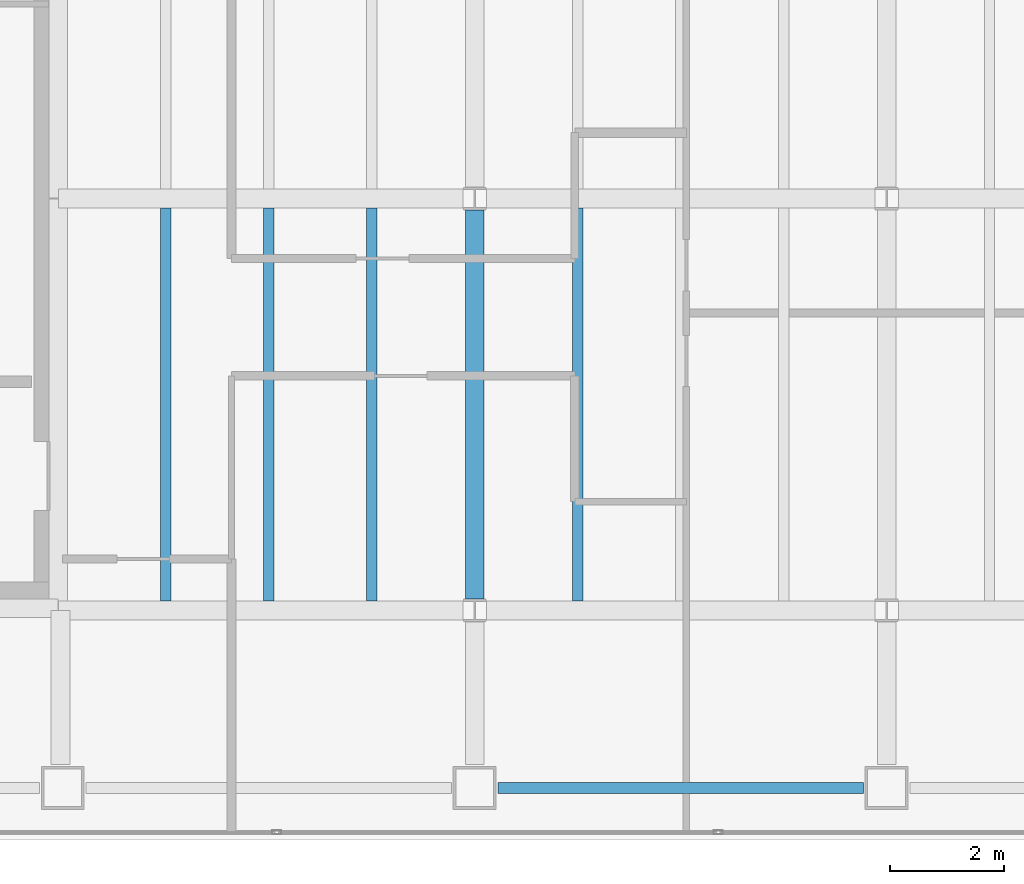
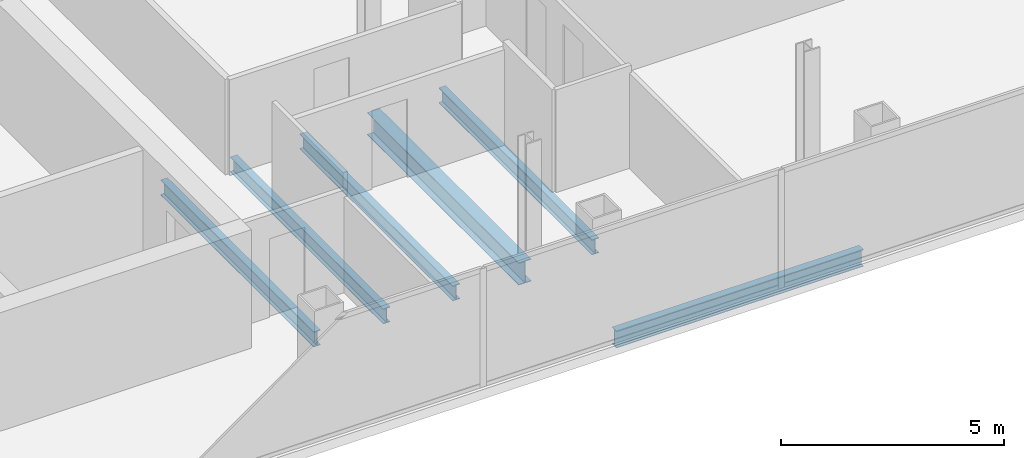
# One storey, part 5 of 23: 6 beams.
"""IFC4 building model written with IfcOpenShell, lengths in metres."""

from ifc_helpers import new_model, si_unit, direction, frame, origin, origin_2d, place, context, subcontext, project, spatial, i_section, extrude, material, material_profile, profile_set, type_object, element, save


model = new_model("IFC4")

# Units and contexts
model_context = context("Model", 3, precision=1e-05, world=origin(), true_north=direction((0.0, 1.0)))
body_context = subcontext(model_context, "Body", "Model", "MODEL_VIEW")
ifc_project = project(units=[si_unit("LENGTHUNIT", "METRE"), si_unit("AREAUNIT", "SQUARE_METRE"), si_unit("VOLUMEUNIT", "CUBIC_METRE"), si_unit("PLANEANGLEUNIT", "RADIAN"), si_unit("MASSUNIT", "GRAM", prefix="KILO")], contexts=[model_context])

# Site, building, storey
site_placement = place(None, origin())
site = spatial("IfcSite", under=ifc_project, at=site_placement, CompositionType="ELEMENT")
building_placement = place(site_placement, origin())
building = spatial("IfcBuilding", under=site, at=building_placement, Name="Cobrela Telecom Tower", CompositionType="ELEMENT")
storey_placement = place(building_placement, frame((0.0, 0.0, 201.25)))
storey = spatial("IfcBuildingStorey", under=building, at=storey_placement, Name="L51", CompositionType="ELEMENT", Elevation=201.25)

# Beams
ifc_material = material(Name="Steel ASTM A992 Grade 50", Category="steel")
ifc_material_profile_1 = material_profile(ifc_material, i_section(OverallWidth=0.324951171875, OverallDepth=0.612060546875, WebThickness=0.0126953125, FlangeThickness=0.01904296875, FilletRadius=0.014892578125, at=origin_2d()), Name="W24X104")
ifc_profile_set_1 = profile_set([ifc_material_profile_1], Name="Steel ASTM A992 Grade 50")
beam_type_1 = type_object("IfcBeamType", Name="BM-GIRD-07", PredefinedType="USERDEFINED", material=ifc_profile_set_1)
beam_1_placement = place(storey_placement, frame((21.60009765625, 7.404541015625, -0.56591796875), z_axis=(0.0, 1.0, 0.0), x_axis=(-1.0, 0.0, 0.0)))
element("IfcBeam", 1, at=beam_1_placement, inside=storey, type_object=beam_type_1, Name="L51 Primary Girder Y33", ObjectType="GIRDER", PredefinedType="USERDEFINED", context=body_context, shape_type="SweptSolid", body=[
    extrude(i_section(OverallWidth=0.324951171875, OverallDepth=0.612060546875, WebThickness=0.0126953125, FlangeThickness=0.01904296875, FilletRadius=0.014892578125, at=origin_2d()), origin(), (0.0, 0.0, 1.0), 6.791015625),
])
ifc_material_profile_2 = material_profile(ifc_material, i_section(OverallWidth=0.179931640625, OverallDepth=0.4169921875, WebThickness=0.010986328125, FlangeThickness=0.01806640625, FilletRadius=0.011962890625, at=origin_2d()), Name="W16X57")
ifc_profile_set_2 = profile_set([ifc_material_profile_2], Name="Steel ASTM A992 Grade 50")
beam_type_2 = type_object("IfcBeamType", Name="BM-JOIST-04", PredefinedType="JOIST", material=ifc_profile_set_2)
for number, where, z_axis, x_axis, name in (
    (2, (16.199951171875, 7.367431640625, -0.468505859375), (0.0, 1.0, 0.0), (-1.0, 0.0, 0.0), "L51 Secondary Composite Floor Beam J01"),
    (3, (18.0, 7.367431640625, -0.468505859375), (0.0, 1.0, 0.0), (-1.0, 0.0, 0.0), "L51 Secondary Composite Floor Beam J05"),
    (4, (19.800048828125, 7.367431640625, -0.468505859375), (0.0, 1.0, 0.0), (-1.0, 0.0, 0.0), "L51 Secondary Composite Floor Beam J09"),
    (5, (23.39990234375, 7.367431640625, -0.468505859375), (0.0, 1.0, 0.0), (-1.0, 0.0, 0.0), "L51 Secondary Composite Floor Beam J13"),
):
    element("IfcBeam", number, at=place(storey_placement, frame(where, z_axis=z_axis, x_axis=x_axis)), inside=storey, type_object=beam_type_2, Name=name, PredefinedType="JOIST", context=body_context, shape_type="SweptSolid", body=[
        extrude(i_section(OverallWidth=0.179931640625, OverallDepth=0.4169921875, WebThickness=0.010986328125, FlangeThickness=0.01806640625, FilletRadius=0.011962890625, at=origin_2d()), origin(), (0.0, 0.0, 1.0), 6.864990234375),
    ])
ifc_material_profile_3 = material_profile(ifc_material, i_section(OverallWidth=0.193115234375, OverallDepth=0.467041015625, WebThickness=0.011474609375, FlangeThickness=0.01904296875, FilletRadius=0.012939453125, at=origin_2d()), Name="W18X65")
ifc_profile_set_3 = profile_set([ifc_material_profile_3], Name="Steel ASTM A992 Grade 50")
beam_type_3 = type_object("IfcBeamType", Name="BM-SPAND-05", PredefinedType="SPANDREL", material=ifc_profile_set_3)
beam_2_placement = place(storey_placement, frame((22.0048828125, 4.10009765625, -0.493408203125), z_axis=(1.0, 0.0, 0.0), x_axis=(0.0, 1.0, 0.0)))
element("IfcBeam", 6, at=beam_2_placement, inside=storey, type_object=beam_type_3, Name="L51 Perimeter Spandrel X03", PredefinedType="SPANDREL", context=body_context, shape_type="SweptSolid", body=[
    extrude(i_section(OverallWidth=0.193115234375, OverallDepth=0.467041015625, WebThickness=0.011474609375, FlangeThickness=0.01904296875, FilletRadius=0.012939453125, at=origin_2d()), origin(), (0.0, 0.0, 1.0), 6.39013671875),
])

save(model, "model.ifc")
